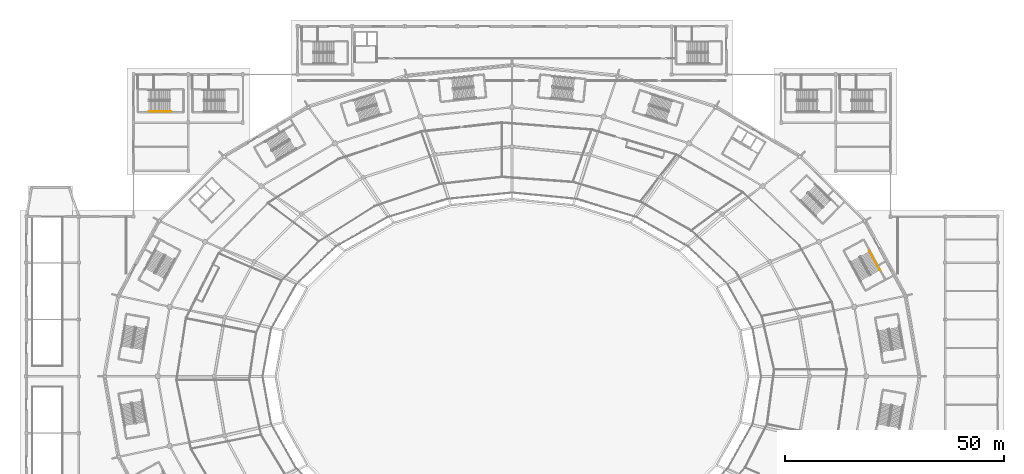
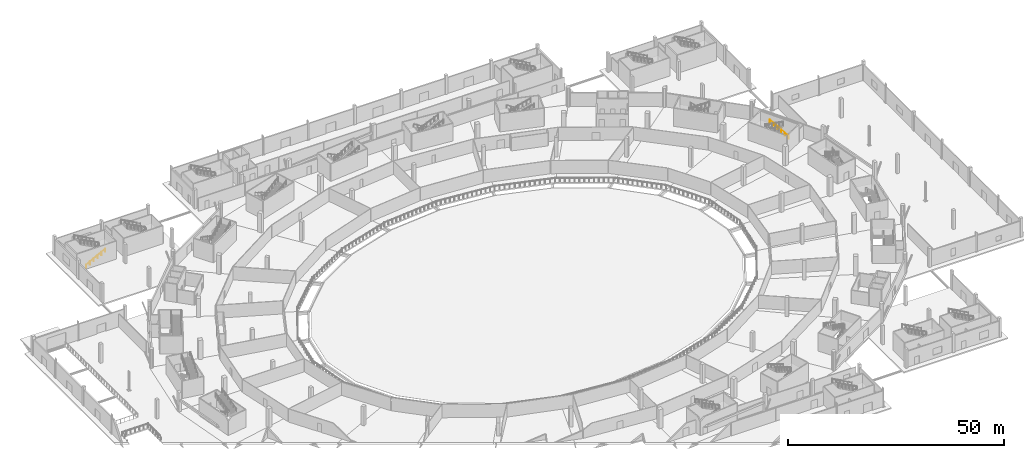
# One storey, part 77 of 82: 2 railings.
"""IFC4 building model written with IfcOpenShell, lengths in metres."""

from ifc_helpers import new_model, si_unit, direction, frame, origin, origin_2d, place, context, subcontext, project, spatial, rectangle, extrude, material, type_object, element, save


model = new_model("IFC4")

# Units and contexts
model_context = context("Model", 3, precision=1e-05, world=origin(), true_north=direction((0.0, 1.0)))
body_context = subcontext(model_context, "Body", "Model", "MODEL_VIEW")
ifc_project = project(units=[si_unit("LENGTHUNIT", "METRE"), si_unit("AREAUNIT", "SQUARE_METRE"), si_unit("VOLUMEUNIT", "CUBIC_METRE"), si_unit("PLANEANGLEUNIT", "RADIAN"), si_unit("MASSUNIT", "GRAM", prefix="KILO")], contexts=[model_context])

# Site, building, storey
site_placement = place(None, origin())
site = spatial("IfcSite", under=ifc_project, at=site_placement, CompositionType="ELEMENT")
building_placement = place(site_placement, origin())
building = spatial("IfcBuilding", under=site, at=building_placement, Name="Zlatoyarsky Gate Stadium", CompositionType="ELEMENT")
storey_placement = place(building_placement, origin())
storey = spatial("IfcBuildingStorey", under=building, at=storey_placement, Name="L00", CompositionType="ELEMENT", Elevation=0.0)

# Railings
ifc_material = material(Name="Brushed stainless steel 316 handrail", Category="steel")
railing_type = type_object("IfcRailingType", Name="STAINLESS STEEL TUBULAR HANDRAIL 900", PredefinedType="HANDRAIL", material=ifc_material)
railing_1_placement = place(storey_placement, frame((194.986572265625, 104.263427734375, 0.162841796875)))
element("IfcRailing", 1, at=railing_1_placement, inside=storey, type_object=railing_type, Name="ST-13 L00 stair handrail 1", PredefinedType="HANDRAIL", context=body_context, shape_type="SweptSolid", body=[
    extrude(rectangle(XDim=0.048095703125, YDim=0.048095703125, at=origin_2d()), frame((0.0, 0.0, 0.8759765625), z_axis=(-0.421472414376, 0.776817406179, 0.467884303411), x_axis=(-0.878961798155, -0.476892186331, 0.0)), (0.0, 0.0, 1.0), 5.7705078125),
    extrude(rectangle(XDim=0.0419921875, YDim=0.0419921875, at=origin_2d()), origin(), (0.0, 0.0, 1.0), 0.851806640625),
    extrude(rectangle(XDim=0.0419921875, YDim=0.0419921875, at=origin_2d()), frame((-0.486328125, 0.896484375, 0.5400390625)), (0.0, 0.0, 1.0), 0.851806640625),
    extrude(rectangle(XDim=0.0419921875, YDim=0.0419921875, at=origin_2d()), frame((-0.972900390625, 1.79296875, 1.080078125)), (0.0, 0.0, 1.0), 0.851806640625),
    extrude(rectangle(XDim=0.0419921875, YDim=0.0419921875, at=origin_2d()), frame((-1.459228515625, 2.689697265625, 1.619873046875)), (0.0, 0.0, 1.0), 0.851806640625),
    extrude(rectangle(XDim=0.0419921875, YDim=0.0419921875, at=origin_2d()), frame((-1.94580078125, 3.586181640625, 2.159912109375)), (0.0, 0.0, 1.0), 0.851806640625),
    extrude(rectangle(XDim=0.0419921875, YDim=0.0419921875, at=origin_2d()), frame((-2.43212890625, 4.482666015625, 2.699951171875)), (0.0, 0.0, 1.0), 0.851806640625),
])
railing_2_placement = place(storey_placement, frame((28.050048828125, 140.550048828125, 0.162841796875)))
element("IfcRailing", 2, at=railing_2_placement, inside=storey, type_object=railing_type, Name="ST-25 L00 stair handrail 1", PredefinedType="HANDRAIL", context=body_context, shape_type="SweptSolid", body=[
    extrude(rectangle(XDim=0.048095703125, YDim=0.048095703125, at=origin_2d()), frame((0.0, 0.0, 0.8759765625), z_axis=(0.883785858079, 0.0, 0.467891608238), x_axis=(0.0, 1.0, 0.0)), (0.0, 0.0, 1.0), 5.7705078125),
    extrude(rectangle(XDim=0.0419921875, YDim=0.0419921875, at=origin_2d()), origin(), (0.0, 0.0, 1.0), 0.851806640625),
    extrude(rectangle(XDim=0.0419921875, YDim=0.0419921875, at=origin_2d()), frame((1.02001953125, 0.0, 0.5400390625)), (0.0, 0.0, 1.0), 0.851806640625),
    extrude(rectangle(XDim=0.0419921875, YDim=0.0419921875, at=origin_2d()), frame((2.0400390625, 0.0, 1.080078125)), (0.0, 0.0, 1.0), 0.851806640625),
    extrude(rectangle(XDim=0.0419921875, YDim=0.0419921875, at=origin_2d()), frame((3.059814453125, 0.0, 1.619873046875)), (0.0, 0.0, 1.0), 0.851806640625),
    extrude(rectangle(XDim=0.0419921875, YDim=0.0419921875, at=origin_2d()), frame((4.079833984375, 0.0, 2.159912109375)), (0.0, 0.0, 1.0), 0.851806640625),
    extrude(rectangle(XDim=0.0419921875, YDim=0.0419921875, at=origin_2d()), frame((5.099853515625, 0.0, 2.699951171875)), (0.0, 0.0, 1.0), 0.851806640625),
])

save(model, "model.ifc")
